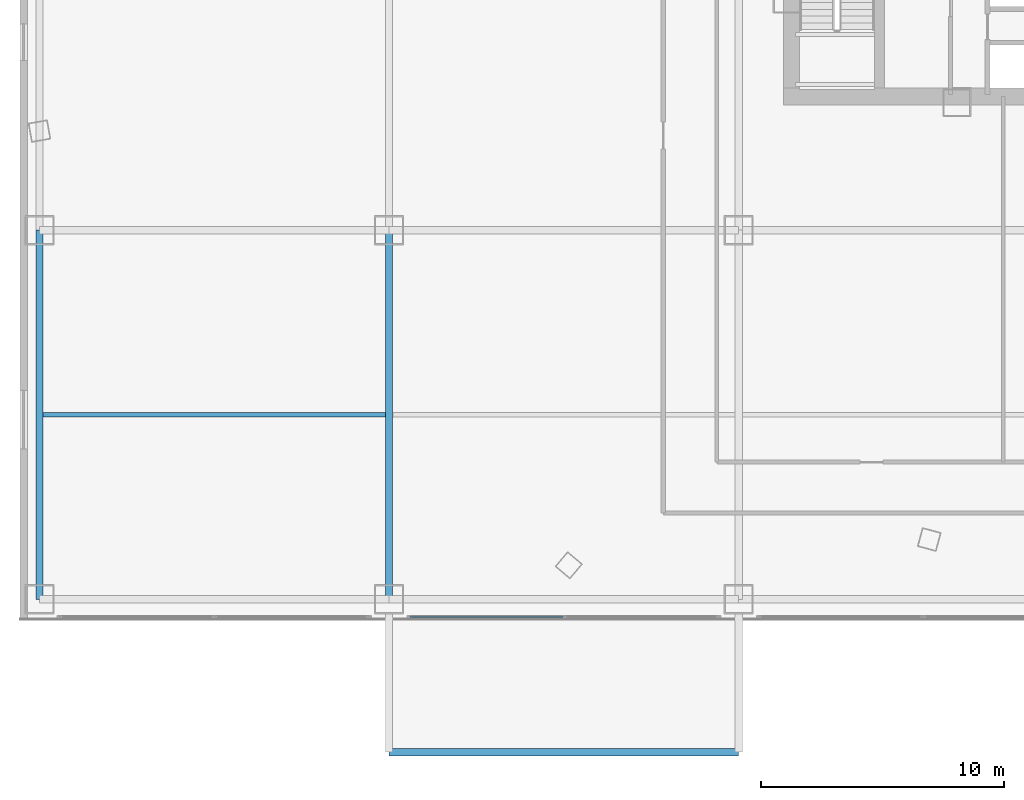
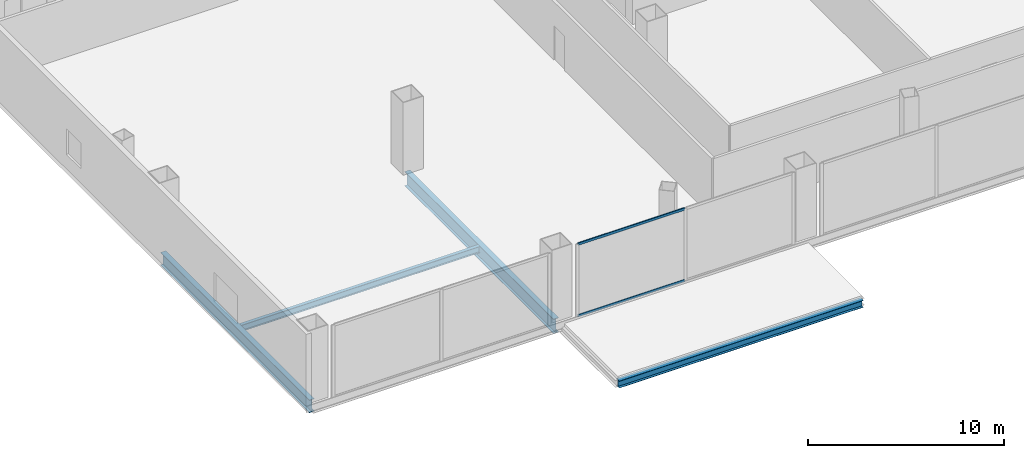
# One storey, part 5 of 42: 4 beams, 2 members, 1 element without a shape of its own.
"""IFC4 building model written with IfcOpenShell, lengths in metres."""

from ifc_helpers import new_model, si_unit, direction, frame, origin, origin_2d, place, context, subcontext, project, spatial, hollow_rectangle, i_section, extrude, source, transform, mapped, material, layer, layer_set, material_profile, profile_set, type_object, element, aggregate, save


model = new_model("IFC4")

# Units and contexts
model_context = context("Model", 3, precision=1e-05, world=origin(), true_north=direction((0.0, 1.0)))
body_context = subcontext(model_context, "Body", "Model", "MODEL_VIEW")
ifc_project = project(units=[si_unit("LENGTHUNIT", "METRE"), si_unit("AREAUNIT", "SQUARE_METRE"), si_unit("VOLUMEUNIT", "CUBIC_METRE"), si_unit("PLANEANGLEUNIT", "RADIAN"), si_unit("MASSUNIT", "GRAM", prefix="KILO"), si_unit("THERMODYNAMICTEMPERATUREUNIT", "KELVIN"), si_unit("POWERUNIT", "WATT")], contexts=[model_context])

# Site, building, storey
site_placement = place(None, origin())
site = spatial("IfcSite", under=ifc_project, at=site_placement, CompositionType="ELEMENT")
building_placement = place(site_placement, origin())
building = spatial("IfcBuilding", under=site, at=building_placement, Name="Yunzhuo Pagoda Commons", CompositionType="ELEMENT")
storey_placement = place(building_placement, frame((0.0, 0.0, 4.800048828125)))
storey = spatial("IfcBuildingStorey", under=building, at=storey_placement, Name="L02", CompositionType="ELEMENT", Elevation=4.800048828125)

# Beams
ifc_material_1 = material(Name="Structural steel Q355B", Category="steel")
ifc_material_profile_1 = material_profile(ifc_material_1, i_section(OverallWidth=0.300048828125, OverallDepth=0.800048828125, WebThickness=0.013916015625, FlangeThickness=0.02587890625, at=origin_2d()), Name="Structural steel Q355B")
ifc_profile_set_1 = profile_set([ifc_material_profile_1], Name="Structural steel Q355B")
beam_type_1 = type_object("IfcBeamType", Name="B-PD2 Beam HN 800x300x14x26", PredefinedType="BEAM", material=ifc_profile_set_1)
shared_shape_1 = source(origin(), body_context, "Body", "SweptSolid", [
    extrude(i_section(OverallWidth=0.300048828125, OverallDepth=0.800048828125, WebThickness=0.013916015625, FlangeThickness=0.02587890625, at=origin_2d()), origin(), (0.0, 0.0, 1.0), 15.199951171875),
])
beam_1_placement = place(storey_placement, frame((4.800048828125, 6.800048828125, -0.679931640625), z_axis=(0.0, 1.0, 0.0), x_axis=(-1.0, 0.0, 0.0)))
element("IfcBeam", 1, at=beam_1_placement, inside=storey, type_object=beam_type_1, Name="L02 podium girder NS 1.1", PredefinedType="BEAM", context=body_context, shape_type="MappedRepresentation", body=[
    mapped(shared_shape_1, transform((0.0, 0.0, 0.0), scale=1.0)),
])
ifc_material_profile_2 = material_profile(ifc_material_1, i_section(OverallWidth=0.199951171875, OverallDepth=0.39990234375, WebThickness=0.008056640625, FlangeThickness=0.012939453125, at=origin_2d()), Name="Structural steel Q355B")
ifc_profile_set_2 = profile_set([ifc_material_profile_2], Name="Structural steel Q355B")
beam_type_2 = type_object("IfcBeamType", Name="B-JS1 Joist HN 400x200x8x13", PredefinedType="JOIST", material=ifc_profile_set_2)
shared_shape_2 = source(origin(), body_context, "Body", "SweptSolid", [
    extrude(i_section(OverallWidth=0.199951171875, OverallDepth=0.39990234375, WebThickness=0.008056640625, FlangeThickness=0.012939453125, at=origin_2d()), origin(), (0.0, 0.0, 1.0), 14.08984375),
])
beam_2_placement = place(storey_placement, frame((4.955078125, 14.39990234375, -0.47998046875), z_axis=(1.0, 0.0, 0.0), x_axis=(0.0, 1.0, 0.0)))
element("IfcBeam", 2, at=beam_2_placement, inside=storey, type_object=beam_type_2, Name="L02 podium composite joist 1.1", PredefinedType="JOIST", context=body_context, shape_type="MappedRepresentation", body=[
    mapped(shared_shape_2, transform((0.0, 0.0, 0.0), scale=1.0)),
])
ifc_material_profile_3 = material_profile(ifc_material_1, i_section(OverallWidth=0.300048828125, OverallDepth=0.89990234375, WebThickness=0.01611328125, FlangeThickness=0.028076171875, at=origin_2d()), Name="Structural steel Q355B")
ifc_profile_set_3 = profile_set([ifc_material_profile_3], Name="Structural steel Q355B")
beam_type_3 = type_object("IfcBeamType", Name="B-PD1 Beam HN 900x300x16x28", PredefinedType="BEAM", material=ifc_profile_set_3)
shared_shape_3 = source(origin(), body_context, "Body", "SweptSolid", [
    extrude(i_section(OverallWidth=0.300048828125, OverallDepth=0.89990234375, WebThickness=0.01611328125, FlangeThickness=0.028076171875, at=origin_2d()), origin(), (0.0, 0.0, 1.0), 15.199951171875),
])
beam_3_placement = place(storey_placement, frame((19.199951171875, 6.800048828125, -0.72998046875), z_axis=(0.0, 1.0, 0.0), x_axis=(-1.0, 0.0, 0.0)))
element("IfcBeam", 3, at=beam_3_placement, inside=storey, type_object=beam_type_3, Name="L02 podium girder NS 2.1", PredefinedType="BEAM", context=body_context, shape_type="MappedRepresentation", body=[
    mapped(shared_shape_3, transform((0.0, 0.0, 0.0), scale=1.0)),
])
ifc_material_profile_4 = material_profile(ifc_material_1, i_section(OverallWidth=0.300048828125, OverallDepth=0.43994140625, WebThickness=0.010986328125, FlangeThickness=0.01806640625, at=origin_2d()), Name="Structural steel Q355B")
ifc_profile_set_4 = profile_set([ifc_material_profile_4], Name="Structural steel Q355B")
beam_type_4 = type_object("IfcBeamType", Name="B-SP2 Beam HM 440x300x11x18", PredefinedType="BEAM", material=ifc_profile_set_4)
shared_shape_4 = source(origin(), body_context, "Body", "SweptSolid", [
    extrude(i_section(OverallWidth=0.300048828125, OverallDepth=0.43994140625, WebThickness=0.010986328125, FlangeThickness=0.01806640625, at=origin_2d()), origin(), (0.0, 0.0, 1.0), 14.400146484375),
])
beam_4_placement = place(storey_placement, frame((19.199951171875, 0.5, -0.5), z_axis=(1.0, 0.0, 0.0), x_axis=(0.0, 1.0, 0.0)))
element("IfcBeam", 4, at=beam_4_placement, inside=storey, type_object=beam_type_4, Name="South canopy edge beam 1", PredefinedType="BEAM", context=body_context, shape_type="MappedRepresentation", body=[
    mapped(shared_shape_4, transform((0.0, 0.0, 0.0), scale=1.0)),
])

# Curtain wall, members
ifc_material_2 = material(Name="Anodized aluminium 6063-T6", Category="aluminium")
ifc_layer = layer(ifc_material_2, 0.179931640625)
ifc_layer_set = layer_set([ifc_layer], Name="Anodized aluminium 6063-T6")
curtain_wall_type = type_object("IfcCurtainWallType", Name="CW-POD Waterfront Podium Curtain Wall", PredefinedType="NOTDEFINED", material=ifc_layer_set)
curtain_wall_placement = place(storey_placement, origin())
curtain_wall = element("IfcCurtainWall", 5, at=curtain_wall_placement, inside=storey, type_object=curtain_wall_type, Name="L02 curtain wall CW-L02-S2", PredefinedType="NOTDEFINED")
ifc_material_profile_5 = material_profile(ifc_material_2, hollow_rectangle(XDim=0.06005859375, YDim=0.14990234375, WallThickness=0.00390625, at=origin_2d()), Name="Anodized aluminium 6063-T6")
ifc_profile_set_5 = profile_set([ifc_material_profile_5], Name="Anodized aluminium 6063-T6")
member_type = type_object("IfcMemberType", Name="CW-POD-T Transom RHS 150x60x4", PredefinedType="USERDEFINED", material=ifc_profile_set_5)
shared_shape_5 = source(origin(), body_context, "Body", "SweptSolid", [
    extrude(hollow_rectangle(XDim=0.06005859375, YDim=0.14990234375, WallThickness=0.00390625, at=origin_2d()), origin(), (0.0, 0.0, 1.0), 6.302490234375),
])
member_1_placement = place(storey_placement, frame((20.06494140625, 6.080078125, 0.030029296875), z_axis=(1.0, 0.0, 0.0), x_axis=(0.0, 1.0, 0.0)))
member_1 = element("IfcMember", 6, at=member_1_placement, type_object=member_type, Name="CW transom 1.1", ObjectType="TRANSOM", PredefinedType="USERDEFINED", context=body_context, shape_type="MappedRepresentation", body=[
    mapped(shared_shape_5, transform((0.0, 0.0, 0.0), scale=1.0)),
])
member_2_placement = place(storey_placement, frame((20.06494140625, 6.080078125, 4.489990234375), z_axis=(1.0, 0.0, 0.0), x_axis=(0.0, 1.0, 0.0)))
member_2 = element("IfcMember", 7, at=member_2_placement, type_object=member_type, Name="CW transom 1.2", ObjectType="TRANSOM", PredefinedType="USERDEFINED", context=body_context, shape_type="MappedRepresentation", body=[
    mapped(shared_shape_5, transform((0.0, 0.0, 0.0), scale=1.0)),
])
aggregate(curtain_wall, [member_1, member_2])

save(model, "model.ifc")
